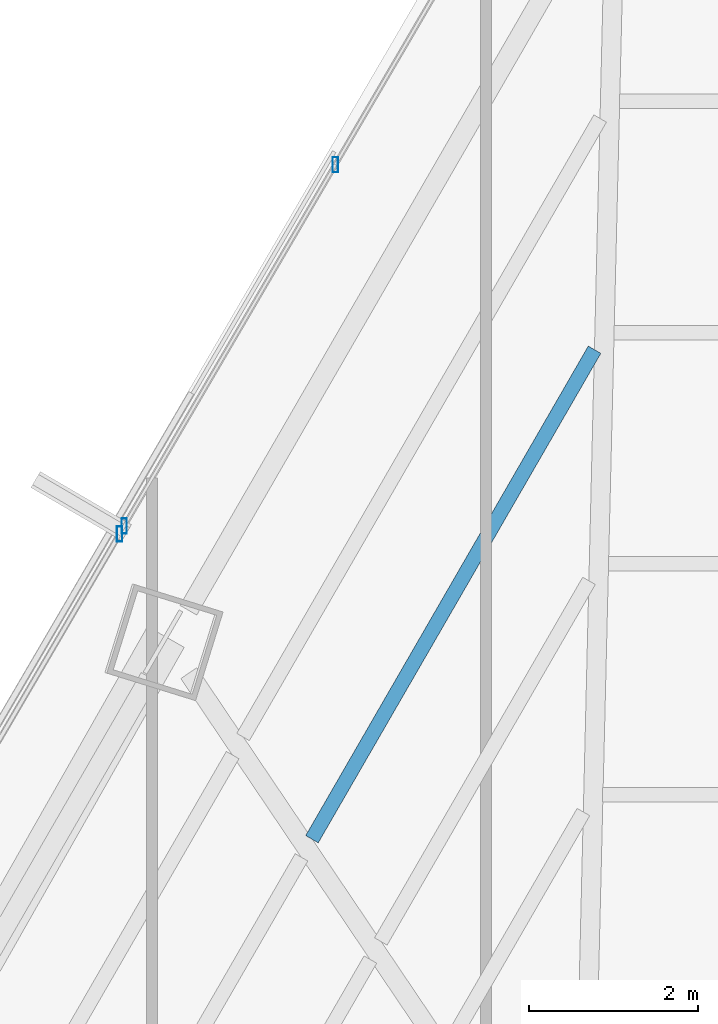
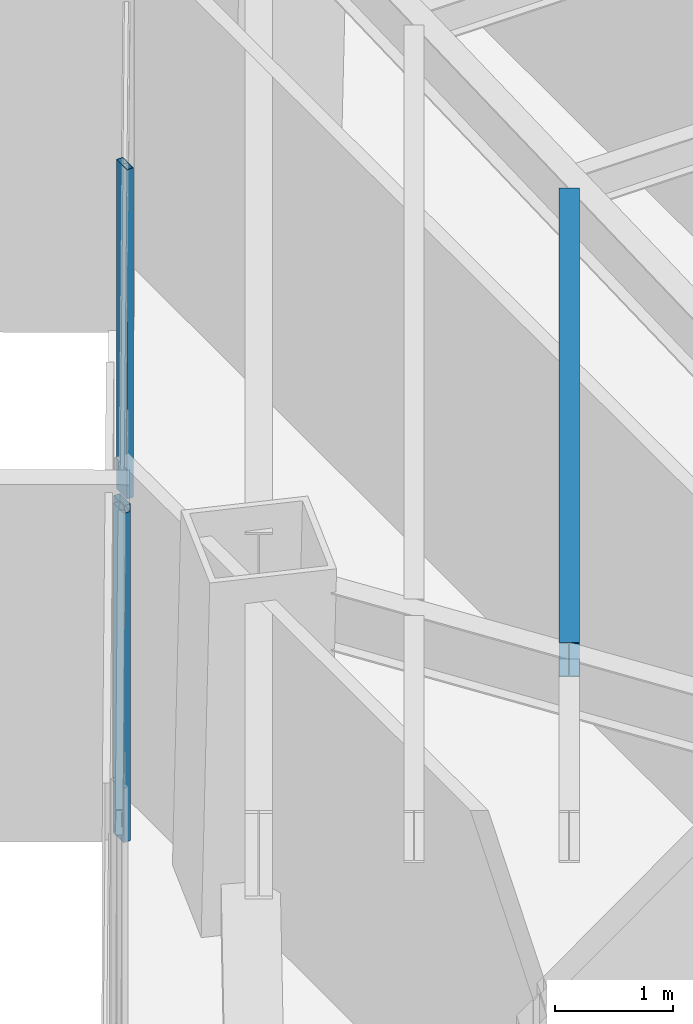
# One storey, part 25 of 37: 3 members, 1 beam, 2 elements without a shape of their own.
"""IFC4 building model written with IfcOpenShell, lengths in metres."""

import ifcopenshell
import ifcopenshell.guid

model = None  # the IFC model being written
_history = None  # IfcOwnerHistory: only IFC2X3 demands one
_inside = {}  # id of a spatial element -> (the spatial element, [elements in it])
_under = {}  # id of a project, library or spatial element -> (it, [spatial elements below it])
_declared = {}  # id of a project -> (the project, [libraries it declares])
_typed = {}  # id of a type object -> (the type object, [elements of that type])
_made_of = {}  # id of a material, layer set ... -> (it, [elements and type objects made of it])


def new_model(schema):
    """Start an empty IFC model of exactly this schema.

    Asked for "IFC4X3", IfcOpenShell would pick the latest addendum, in which some entities
    have other attributes; the version numbers below select the first issue.
    IFC2X3 requires an IfcOwnerHistory on every rooted entity: one is made here for all.
    """
    global model, _history
    if schema == "IFC4X3":
        model = ifcopenshell.file(schema_version=(4, 3, 0, 0))
    else:
        model = ifcopenshell.file(schema=schema)
    _inside.clear()
    _under.clear()
    _declared.clear()
    _typed.clear()
    _made_of.clear()
    _history = None
    if model.schema == "IFC2X3":
        org = make("IfcOrganization", Name="unknown")
        user = make(
            "IfcPersonAndOrganization",
            ThePerson=make("IfcPerson", FamilyName="unknown"),
            TheOrganization=org,
        )
        app = make(
            "IfcApplication",
            ApplicationDeveloper=org,
            Version="unknown",
            ApplicationFullName="unknown",
            ApplicationIdentifier="unknown",
        )
        _history = make(
            "IfcOwnerHistory",
            OwningUser=user,
            OwningApplication=app,
            ChangeAction="ADDED",
            CreationDate=0,
        )
    return model


def make(cls, **values):
    """One entity of the class cls with the attributes given. An attribute that is None is left unset."""
    return model.create_entity(
        cls, **{name: value for name, value in values.items() if value is not None}
    )


def rooted(cls, **values):
    """An entity with a GlobalId (a new one), such as an element, a storey or a relation."""
    return make(cls, GlobalId=ifcopenshell.guid.new(), OwnerHistory=_history, **values)


def si_unit(unit_type, name, prefix=None):
    """IfcSIUnit, for example si_unit("LENGTHUNIT", "METRE", prefix="MILLI")."""
    return make("IfcSIUnit", UnitType=unit_type, Prefix=prefix, Name=name)


def assignment(units):
    """IfcUnitAssignment: the units of a project."""
    return None if units is None else make("IfcUnitAssignment", Units=units)


def point(xyz):
    """IfcCartesianPoint."""
    return None if xyz is None else make("IfcCartesianPoint", Coordinates=xyz)


def direction(xyz):
    """IfcDirection."""
    return None if xyz is None else make("IfcDirection", DirectionRatios=xyz)


def frame(location, z_axis=None, x_axis=None):
    """IfcAxis2Placement3D, a coordinate frame: its origin and axes. An axis left out is left unset."""
    return make(
        "IfcAxis2Placement3D",
        Location=point(location),
        Axis=direction(z_axis),
        RefDirection=direction(x_axis),
    )


def frame_2d(location, x_axis=None):
    """IfcAxis2Placement2D, a coordinate frame in the plane: its origin and x axis."""
    return make(
        "IfcAxis2Placement2D", Location=point(location), RefDirection=direction(x_axis)
    )


def origin():
    """The frame at (0, 0, 0) with its axes left unset."""
    return frame((0.0, 0.0, 0.0))


def origin_2d():
    """The frame at (0, 0) in the plane with its x axis left unset."""
    return frame_2d((0.0, 0.0))


def place(relative_to, where):
    """IfcLocalPlacement: puts the frame where relative to a parent placement (None: the world)."""
    return make(
        "IfcLocalPlacement", PlacementRelTo=relative_to, RelativePlacement=where
    )


def context(
    kind, dimensions, precision=None, world=None, true_north=None, identifier=None
):
    """IfcGeometricRepresentationContext, for example the 3D "Model" context."""
    return make(
        "IfcGeometricRepresentationContext",
        ContextIdentifier=identifier,
        ContextType=kind,
        CoordinateSpaceDimension=dimensions,
        Precision=precision,
        WorldCoordinateSystem=world,
        TrueNorth=true_north,
    )


def subcontext(parent, identifier, kind, view, scale=None):
    """IfcGeometricRepresentationSubContext, for example "Body" below "Model"."""
    return make(
        "IfcGeometricRepresentationSubContext",
        ContextIdentifier=identifier,
        ContextType=kind,
        ParentContext=parent,
        TargetScale=scale,
        TargetView=view,
    )


def project(units=None, contexts=None):
    """IfcProject with its units and contexts."""
    return rooted(
        "IfcProject",
        Name="project",
        RepresentationContexts=contexts,
        UnitsInContext=assignment(units),
    )


def spatial(cls, under=None, at=None, **own):
    """A site, building, storey or space (cls), placed at a placement, below another one or the project."""
    s = rooted(cls, ObjectPlacement=at, **own)
    if under is not None:
        _under.setdefault(under.id(), (under, []))[1].append(s)
    return s


def profile(cls, at=None, kind="AREA", **sizes):
    """A parametric profile (cls). Its sizes go by their IFC names, for example OverallWidth=200.0."""
    return make(cls, ProfileType=kind, Position=at, **sizes)


def hollow_rectangle(**sizes):
    """IfcRectangleHollowProfileDef."""
    return profile("IfcRectangleHollowProfileDef", **sizes)


def i_section(**sizes):
    """IfcIShapeProfileDef."""
    return profile("IfcIShapeProfileDef", **sizes)


def extrude(swept, where, along, depth):
    """IfcExtrudedAreaSolid: the profile swept, set in the frame where, extruded along a direction by depth."""
    return make(
        "IfcExtrudedAreaSolid",
        SweptArea=swept,
        Position=where,
        ExtrudedDirection=direction(along),
        Depth=depth,
    )


def shape(context_of_items, identifier, shape_type, items):
    """IfcShapeRepresentation: the items that make up one representation, for example the "Body"."""
    return make(
        "IfcShapeRepresentation",
        ContextOfItems=context_of_items,
        RepresentationIdentifier=identifier,
        RepresentationType=shape_type,
        Items=items,
    )


def source(mapping_origin, context_of_items, identifier, shape_type, items):
    """IfcRepresentationMap: a shape defined once, which mapped items show again and again."""
    return make(
        "IfcRepresentationMap",
        MappingOrigin=mapping_origin,
        MappedRepresentation=shape(context_of_items, identifier, shape_type, items),
    )


def transform(
    local_origin,
    x_axis=None,
    y_axis=None,
    z_axis=None,
    scale=None,
    scale2=None,
    scale3=None,
    uniform=True,
):
    """IfcCartesianTransformationOperator3D, or its non-uniform kind. x_axis, y_axis, z_axis: its Axis1, 2, 3."""
    if uniform:
        return make(
            "IfcCartesianTransformationOperator3D",
            Axis1=direction(x_axis),
            Axis2=direction(y_axis),
            LocalOrigin=point(local_origin),
            Scale=scale,
            Axis3=direction(z_axis),
        )
    return make(
        "IfcCartesianTransformationOperator3DnonUniform",
        Axis1=direction(x_axis),
        Axis2=direction(y_axis),
        LocalOrigin=point(local_origin),
        Scale=scale,
        Axis3=direction(z_axis),
        Scale2=scale2,
        Scale3=scale3,
    )


def mapped(mapping_source, mapping_target):
    """IfcMappedItem: shows the shape of a source again, moved by a transform."""
    return make(
        "IfcMappedItem", MappingSource=mapping_source, MappingTarget=mapping_target
    )


def material(Name=None, Category=None):
    """IfcMaterial."""
    return make("IfcMaterial", Name=Name, Category=Category)


def material_profile(
    of_material, cross_section, Name=None, Category=None, Priority=None
):
    """IfcMaterialProfile: a cross section and its material."""
    return make(
        "IfcMaterialProfile",
        Name=Name,
        Material=of_material,
        Profile=cross_section,
        Priority=Priority,
        Category=Category,
    )


def profile_set(profiles, Name=None, composite=None):
    """IfcMaterialProfileSet."""
    return make(
        "IfcMaterialProfileSet",
        Name=Name,
        MaterialProfiles=profiles,
        CompositeProfile=composite,
    )


def made_of(thing, what):
    """Note that an element or type object is made of a material, layer set ...; save() writes the relation."""
    if what is not None:
        _made_of.setdefault(what.id(), (what, []))[1].append(thing)
    return thing


def type_object(cls, material=None, **own):
    """A type object (cls), such as IfcWallType, which elements share."""
    return made_of(rooted(cls, **own), material)


def type_shapes(of_type, sources):
    """Give a type object the sources (RepresentationMaps) that its elements show as mapped items."""
    of_type.RepresentationMaps = sources


def element(
    cls,
    number,
    at=None,
    inside=None,
    cuts=None,
    type_object=None,
    material=None,
    context=None,
    identifier="Body",
    shape_type=None,
    held_by="IfcProductDefinitionShape",
    body=None,
    shapes=None,
    **own,
):
    """One element of the class cls, such as IfcWall. Its Tag is "e" and its number.

    at: its placement. inside: the storey or other place that contains it. cuts: it is an
    opening in that element (IfcRelVoidsElement). A single representation is given by context,
    identifier, shape_type and body (its items); several are given by shapes. held_by: the class
    of the entity that holds the representations. save() writes the other relations.
    """
    e = rooted(cls, Tag="e%d" % number, ObjectPlacement=at, **own)
    if body is not None:
        shapes = [shape(context, identifier, shape_type, body)]
    if shapes is not None:
        e.Representation = make(held_by, Representations=shapes)
    if inside is not None:
        _inside.setdefault(inside.id(), (inside, []))[1].append(e)
    if cuts is not None:
        rooted(
            "IfcRelVoidsElement", RelatingBuildingElement=cuts, RelatedOpeningElement=e
        )
    if type_object is not None:
        _typed.setdefault(type_object.id(), (type_object, []))[1].append(e)
    return made_of(e, material)


def aggregate(whole, parts):
    """IfcRelAggregates: a whole, such as a stair, and the parts it consists of."""
    return rooted("IfcRelAggregates", RelatingObject=whole, RelatedObjects=parts)


def save(model, path):
    """Write the relations noted so far, then the file.

    IfcRelAggregates (storeys below a building ...), IfcRelContainedInSpatialStructure (elements
    in a storey), IfcRelDefinesByType, IfcRelAssociatesMaterial and IfcRelDeclares: one each for
    every whole, place, type object, material and project.
    """
    for whole, parts in _under.values():
        aggregate(whole, parts)
    for where, things in _inside.values():
        rooted(
            "IfcRelContainedInSpatialStructure",
            RelatedElements=things,
            RelatingStructure=where,
        )
    for kind, things in _typed.values():
        rooted("IfcRelDefinesByType", RelatedObjects=things, RelatingType=kind)
    for what, things in _made_of.values():
        rooted("IfcRelAssociatesMaterial", RelatedObjects=things, RelatingMaterial=what)
    for by, libraries in _declared.values():
        rooted("IfcRelDeclares", RelatingContext=by, RelatedDefinitions=libraries)
    model.write(path)


model = new_model("IFC4")

# Units and contexts
model_context = context("Model", 3, precision=1e-05, world=origin(), true_north=direction((0.0, 1.0)))
body_context = subcontext(model_context, "Body", "Model", "MODEL_VIEW")
ifc_project = project(units=[si_unit("LENGTHUNIT", "METRE"), si_unit("AREAUNIT", "SQUARE_METRE"), si_unit("VOLUMEUNIT", "CUBIC_METRE"), si_unit("PLANEANGLEUNIT", "RADIAN"), si_unit("MASSUNIT", "GRAM", prefix="KILO")], contexts=[model_context])

# Site, building, storey
site_placement = place(None, origin())
site = spatial("IfcSite", under=ifc_project, at=site_placement, CompositionType="ELEMENT")
building_placement = place(site_placement, origin())
building = spatial("IfcBuilding", under=site, at=building_placement, Name="Caelisora Broadcast Tower", CompositionType="ELEMENT")
storey_placement = place(building_placement, frame((0.0, 0.0, 116.35009765625)))
storey = spatial("IfcBuildingStorey", under=building, at=storey_placement, Name="L30", CompositionType="ELEMENT", Elevation=116.35009765625)

# Beam
ifc_material_1 = material(Name="Steel Grade 350 (AS/NZS 3679.1)", Category="steel")
ifc_material_profile_1 = material_profile(ifc_material_1, i_section(OverallWidth=0.172119140625, OverallDepth=0.358642578125, WebThickness=0.008056640625, FlangeThickness=0.012939453125, at=origin_2d()), Name="Steel Grade 350 (AS/NZS 3679.1)")
ifc_profile_set_1 = profile_set([ifc_material_profile_1], Name="Steel Grade 350 (AS/NZS 3679.1)")
beam_type = type_object("IfcBeamType", Name="SB02", PredefinedType="JOIST", material=ifc_profile_set_1)
shared_shape_1 = source(origin(), body_context, "Body", "SweptSolid", [
    extrude(i_section(OverallWidth=0.172119140625, OverallDepth=0.358642578125, WebThickness=0.008056640625, FlangeThickness=0.012939453125, at=origin_2d()), origin(), (0.0, 0.0, 1.0), 6.697509765625),
])
type_shapes(beam_type, [shared_shape_1])
beam_placement = place(storey_placement, frame((30.646240234375, 40.7529296875, 3.220703125), z_axis=(-0.499981198768, -0.866036258409, 0.0), x_axis=(0.866036258409, -0.499981198768, 0.0)))
element("IfcBeam", 1, at=beam_placement, inside=storey, type_object=beam_type, Name="L30 beam SB02", PredefinedType="JOIST", context=body_context, shape_type="MappedRepresentation", body=[
    mapped(shared_shape_1, transform((0.0, 0.0, 0.0), scale=1.0)),
])

# Curtain wall, member
ifc_material_2 = material(Name="Unitised Aluminium Insulated Shadow-Box Spandrel Curtain Wall", Category="aluminium")
curtain_wall_type_1 = type_object("IfcCurtainWallType", Name="CW-SP1", PredefinedType="NOTDEFINED", material=ifc_material_2)
curtain_wall_1_placement = place(storey_placement, origin())
curtain_wall_1 = element("IfcCurtainWall", 2, at=curtain_wall_1_placement, inside=storey, type_object=curtain_wall_type_1, Name="L30 curtain wall CW-SP1", PredefinedType="NOTDEFINED")
ifc_material_3 = material(Name="Aluminium 6063-T6 Anodised Terracotta Bronze", Category="aluminium")
ifc_material_profile_2 = material_profile(ifc_material_3, hollow_rectangle(XDim=0.06494140625, YDim=0.179931640625, WallThickness=0.00341796875, at=origin_2d()), Name="Aluminium 6063-T6 Anodised Terracotta Bronze")
ifc_profile_set_2 = profile_set([ifc_material_profile_2], Name="Aluminium 6063-T6 Anodised Terracotta Bronze")
member_type = type_object("IfcMemberType", Name="CWM-02", PredefinedType="MULLION", material=ifc_profile_set_2)
shared_shape_2 = source(origin(), body_context, "Body", "SweptSolid", [
    extrude(hollow_rectangle(XDim=0.06494140625, YDim=0.179931640625, WallThickness=0.00341796875, at=origin_2d()), origin(), (0.0, 0.0, 1.0), 3.39990234375),
])
type_shapes(member_type, [shared_shape_2])
member_1_placement = place(storey_placement, frame((25.017822265625, 38.569580078125, 0.0), z_axis=(0.0, 0.0, 1.0), x_axis=(1.0, 0.0, 0.0)))
member_1 = element("IfcMember", 3, at=member_1_placement, type_object=member_type, Name="L30-CW-B10 mullion #3", PredefinedType="MULLION", context=body_context, shape_type="MappedRepresentation", body=[
    mapped(shared_shape_2, transform((0.0, 0.0, 0.0), scale=1.0)),
])
aggregate(curtain_wall_1, [member_1])

# Curtain wall, members
ifc_material_4 = material(Name="Unitised Aluminium and Low-E Glass Curtain Wall", Category="glass")
curtain_wall_type_2 = type_object("IfcCurtainWallType", Name="CW-Z2", PredefinedType="NOTDEFINED", material=ifc_material_4)
curtain_wall_2_placement = place(storey_placement, origin())
curtain_wall_2 = element("IfcCurtainWall", 4, at=curtain_wall_2_placement, inside=storey, type_object=curtain_wall_type_2, Name="L30 curtain wall CW-Z2", PredefinedType="NOTDEFINED")
member_2_placement = place(storey_placement, frame((25.073486328125, 38.664306640625, 0.0), z_axis=(0.0, 0.0, 1.0), x_axis=(1.0, 0.0, 0.0)))
member_2 = element("IfcMember", 5, at=member_2_placement, type_object=member_type, Name="L30-CW-B11 mullion #0", PredefinedType="MULLION", context=body_context, shape_type="MappedRepresentation", body=[
    mapped(shared_shape_2, transform((0.0, 0.0, 0.0), scale=1.0)),
])
member_3_placement = place(storey_placement, frame((27.57421875, 42.944580078125, 0.0), z_axis=(0.0, 0.0, 1.0), x_axis=(1.0, 0.0, 0.0)))
member_3 = element("IfcMember", 6, at=member_3_placement, type_object=member_type, Name="L30-CW-B11 mullion #1", PredefinedType="MULLION", context=body_context, shape_type="MappedRepresentation", body=[
    mapped(shared_shape_2, transform((0.0, 0.0, 0.0), scale=1.0)),
])
aggregate(curtain_wall_2, [member_2, member_3])

save(model, "model.ifc")
